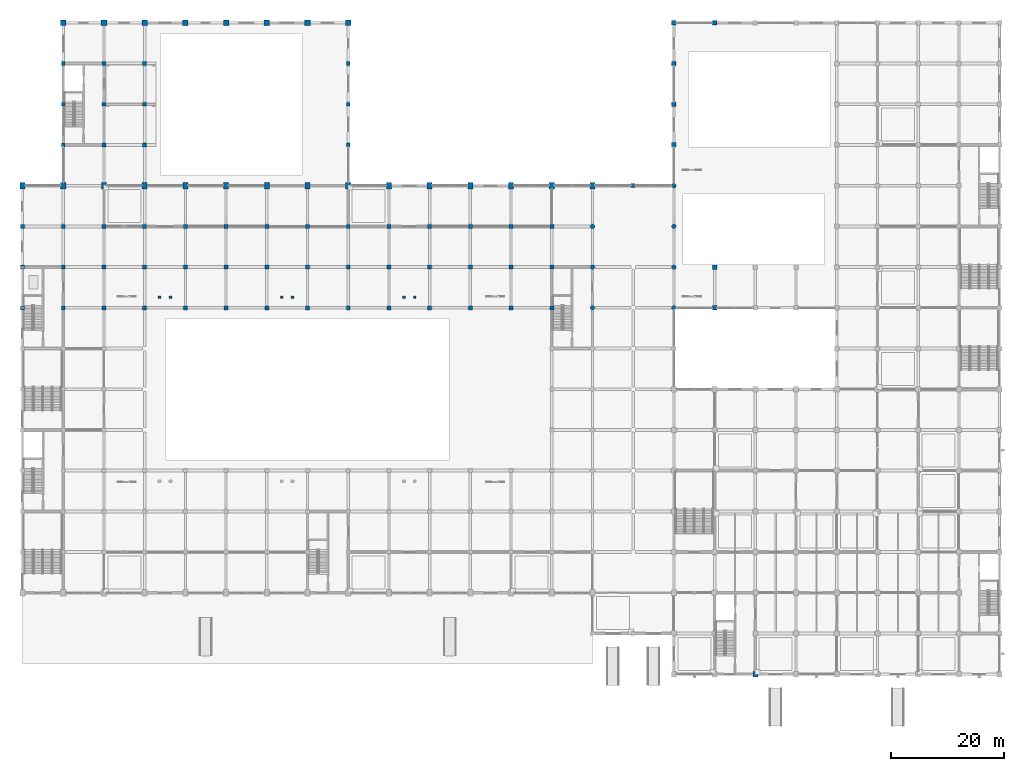
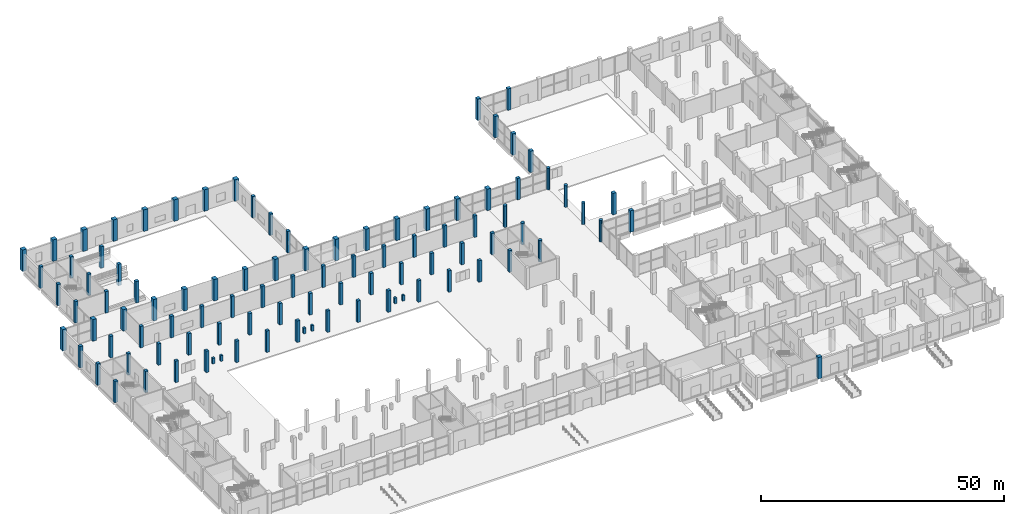
# One storey, part 2 of 70: 99 columns.
"""IFC4 building model written with IfcOpenShell, lengths in metres."""

from ifc_helpers import new_model, si_unit, direction, frame, origin, origin_2d, place, context, subcontext, project, spatial, rectangle, circle, extrude, material, material_profile, profile_set, type_object, element, save


model = new_model("IFC4")

# Units and contexts
model_context = context("Model", 3, precision=1e-05, world=origin(), true_north=direction((0.0, 1.0)))
body_context = subcontext(model_context, "Body", "Model", "MODEL_VIEW")
ifc_project = project(units=[si_unit("LENGTHUNIT", "METRE"), si_unit("AREAUNIT", "SQUARE_METRE"), si_unit("VOLUMEUNIT", "CUBIC_METRE"), si_unit("PLANEANGLEUNIT", "RADIAN"), si_unit("MASSUNIT", "GRAM", prefix="KILO")], contexts=[model_context])

# Site, building, storey
site_placement = place(None, origin())
site = spatial("IfcSite", under=ifc_project, at=site_placement, CompositionType="ELEMENT")
building_placement = place(site_placement, origin())
building = spatial("IfcBuilding", under=site, at=building_placement, Name="Vesperath Aquatics Centre", CompositionType="ELEMENT")
storey_placement = place(building_placement, origin())
storey = spatial("IfcBuildingStorey", under=building, at=storey_placement, Name="L00", CompositionType="ELEMENT", Elevation=0.0)

# Columns
ifc_material_1 = material(Name="Concrete C40", Category="concrete")
ifc_material_profile_1 = material_profile(ifc_material_1, rectangle(XDim=0.89990234375, YDim=1.10009765625, at=origin_2d()), Name="RC 1100x900")
ifc_profile_set_1 = profile_set([ifc_material_profile_1], Name="Concrete C40")
column_type_1 = type_object("IfcColumnType", Name="CL-C01", PredefinedType="COLUMN", material=ifc_profile_set_1)
for number, where, z_axis, x_axis, name in (
    (1, (0.0, 86.39990234375, 0.0), (0.0, 0.0, 1.0), (1.0, 0.0, 0.0), "Column C01 L00 1/N"),
    (2, (7.199951171875, 86.39990234375, 0.0), (0.0, 0.0, 1.0), (1.0, 0.0, 0.0), "Column C01 L00 2/N"),
    (3, (14.39990234375, 86.39990234375, 0.0), (0.0, 0.0, 1.0), (1.0, 0.0, 0.0), "Column C01 L00 3/N"),
    (4, (21.60009765625, 86.39990234375, 0.0), (0.0, 0.0, 1.0), (1.0, 0.0, 0.0), "Column C01 L00 4/N"),
    (5, (28.800048828125, 86.39990234375, 0.0), (0.0, 0.0, 1.0), (1.0, 0.0, 0.0), "Column C01 L00 5/N"),
    (6, (36.0, 86.39990234375, 0.0), (0.0, 0.0, 1.0), (1.0, 0.0, 0.0), "Column C01 L00 6/N"),
    (7, (43.199951171875, 86.39990234375, 0.0), (0.0, 0.0, 1.0), (1.0, 0.0, 0.0), "Column C01 L00 7/N"),
    (8, (50.39990234375, 86.39990234375, 0.0), (0.0, 0.0, 1.0), (1.0, 0.0, 0.0), "Column C01 L00 8/N"),
    (9, (57.60009765625, 86.39990234375, 0.0), (0.0, 0.0, 1.0), (1.0, 0.0, 0.0), "Column C01 L00 9/N"),
    (10, (64.800048828125, 86.39990234375, 0.0), (0.0, 0.0, 1.0), (1.0, 0.0, 0.0), "Column C01 L00 10/N"),
    (11, (72.0, 86.39990234375, 0.0), (0.0, 0.0, 1.0), (1.0, 0.0, 0.0), "Column C01 L00 11/N"),
    (12, (79.199951171875, 86.39990234375, 0.0), (0.0, 0.0, 1.0), (1.0, 0.0, 0.0), "Column C01 L00 12/N"),
    (13, (86.39990234375, 86.39990234375, 0.0), (0.0, 0.0, 1.0), (1.0, 0.0, 0.0), "Column C01 L00 13/N"),
    (14, (93.60009765625, 86.39990234375, 0.0), (0.0, 0.0, 1.0), (1.0, 0.0, 0.0), "Column C01 L00 14/N"),
    (15, (100.800048828125, 86.39990234375, 0.0), (0.0, 0.0, 1.0), (1.0, 0.0, 0.0), "Column C01 L00 15/N"),
):
    element("IfcColumn", number, at=place(storey_placement, frame(where, z_axis=z_axis, x_axis=x_axis)), inside=storey, type_object=column_type_1, Name=name, PredefinedType="COLUMN", context=body_context, shape_type="SweptSolid", body=[
        extrude(rectangle(XDim=0.89990234375, YDim=1.10009765625, at=origin_2d()), origin(), (0.0, 0.0, 1.0), 5.39990234375),
    ])
ifc_material_profile_2 = material_profile(ifc_material_1, rectangle(XDim=1.0, YDim=1.0, at=origin_2d()), Name="RC 1000x1000")
ifc_profile_set_2 = profile_set([ifc_material_profile_2], Name="Concrete C40")
column_type_2 = type_object("IfcColumnType", Name="CL-C02", PredefinedType="COLUMN", material=ifc_profile_set_2)
for number, where, z_axis, x_axis, name in (
    (16, (7.199951171875, 115.199951171875, 0.0), (0.0, 0.0, 1.0), (1.0, 0.0, 0.0), "Column C02 L00 2/S"),
    (17, (14.39990234375, 115.199951171875, 0.0), (0.0, 0.0, 1.0), (1.0, 0.0, 0.0), "Column C02 L00 3/S"),
    (18, (21.60009765625, 115.199951171875, 0.0), (0.0, 0.0, 1.0), (1.0, 0.0, 0.0), "Column C02 L00 4/S"),
    (19, (28.800048828125, 115.199951171875, 0.0), (0.0, 0.0, 1.0), (1.0, 0.0, 0.0), "Column C02 L00 5/S"),
    (20, (36.0, 115.199951171875, 0.0), (0.0, 0.0, 1.0), (1.0, 0.0, 0.0), "Column C02 L00 6/S"),
    (21, (43.199951171875, 115.199951171875, 0.0), (0.0, 0.0, 1.0), (1.0, 0.0, 0.0), "Column C02 L00 7/S"),
    (22, (50.39990234375, 115.199951171875, 0.0), (0.0, 0.0, 1.0), (1.0, 0.0, 0.0), "Column C02 L00 8/S"),
    (23, (57.60009765625, 115.199951171875, 0.0), (0.0, 0.0, 1.0), (1.0, 0.0, 0.0), "Column C02 L00 9/S"),
):
    element("IfcColumn", number, at=place(storey_placement, frame(where, z_axis=z_axis, x_axis=x_axis)), inside=storey, type_object=column_type_2, Name=name, PredefinedType="COLUMN", context=body_context, shape_type="SweptSolid", body=[
        extrude(rectangle(XDim=1.0, YDim=1.0, at=origin_2d()), origin(), (0.0, 0.0, 1.0), 5.39990234375),
    ])
ifc_material_profile_3 = material_profile(ifc_material_1, rectangle(XDim=0.89990234375, YDim=0.89990234375, at=origin_2d()), Name="RC 900x900")
ifc_profile_set_3 = profile_set([ifc_material_profile_3], Name="Concrete C40")
column_type_3 = type_object("IfcColumnType", Name="CL-C03", PredefinedType="COLUMN", material=ifc_profile_set_3)
column_placement = place(storey_placement, frame((129.60009765625, 0.0, 0.0), z_axis=(0.0, 0.0, 1.0), x_axis=(1.0, 0.0, 0.0)))
element("IfcColumn", 24, at=column_placement, inside=storey, type_object=column_type_3, Name="Column C03 L00 19/A", PredefinedType="COLUMN", context=body_context, shape_type="SweptSolid", body=[
    extrude(rectangle(XDim=0.89990234375, YDim=0.89990234375, at=origin_2d()), origin(), (0.0, 0.0, 1.0), 5.39990234375),
])
ifc_material_profile_4 = material_profile(ifc_material_1, rectangle(XDim=0.800048828125, YDim=0.800048828125, at=origin_2d()), Name="RC 800x800")
ifc_profile_set_4 = profile_set([ifc_material_profile_4], Name="Concrete C40")
column_type_4 = type_object("IfcColumnType", Name="CL-C04", PredefinedType="COLUMN", material=ifc_profile_set_4)
for number, where, z_axis, x_axis, name in (
    (25, (115.199951171875, 93.60009765625, 0.0), (0.0, 0.0, 1.0), (1.0, 0.0, 0.0), "Column C04 L00 17/P"),
    (26, (115.199951171875, 100.800048828125, 0.0), (0.0, 0.0, 1.0), (1.0, 0.0, 0.0), "Column C04 L00 17/Q"),
    (27, (115.199951171875, 108.0, 0.0), (0.0, 0.0, 1.0), (1.0, 0.0, 0.0), "Column C04 L00 17/R"),
    (28, (115.199951171875, 115.199951171875, 0.0), (0.0, 0.0, 1.0), (1.0, 0.0, 0.0), "Column C04 L00 17/S"),
    (29, (122.39990234375, 64.800048828125, 0.0), (0.0, 0.0, 1.0), (1.0, 0.0, 0.0), "Column C04 L00 18/K"),
    (30, (122.39990234375, 72.0, 0.0), (0.0, 0.0, 1.0), (1.0, 0.0, 0.0), "Column C04 L00 18/L"),
    (31, (122.39990234375, 115.199951171875, 0.0), (0.0, 0.0, 1.0), (1.0, 0.0, 0.0), "Column C04 L00 18/S"),
):
    element("IfcColumn", number, at=place(storey_placement, frame(where, z_axis=z_axis, x_axis=x_axis)), inside=storey, type_object=column_type_4, Name=name, PredefinedType="COLUMN", context=body_context, shape_type="SweptSolid", body=[
        extrude(rectangle(XDim=0.800048828125, YDim=0.800048828125, at=origin_2d()), origin(), (0.0, 0.0, 1.0), 5.39990234375),
    ])
ifc_material_profile_5 = material_profile(ifc_material_1, rectangle(XDim=0.699951171875, YDim=0.699951171875, at=origin_2d()), Name="RC 700x700")
ifc_profile_set_5 = profile_set([ifc_material_profile_5], Name="Concrete C40")
column_type_5 = type_object("IfcColumnType", Name="CL-C05", PredefinedType="COLUMN", material=ifc_profile_set_5)
for number, where, z_axis, x_axis, name in (
    (32, (0.0, 64.800048828125, 0.0), (0.0, 0.0, 1.0), (1.0, 0.0, 0.0), "Column C05 L00 1/K"),
    (33, (0.0, 72.0, 0.0), (0.0, 0.0, 1.0), (1.0, 0.0, 0.0), "Column C05 L00 1/L"),
    (34, (0.0, 79.199951171875, 0.0), (0.0, 0.0, 1.0), (1.0, 0.0, 0.0), "Column C05 L00 1/M"),
    (35, (7.199951171875, 64.800048828125, 0.0), (0.0, 0.0, 1.0), (1.0, 0.0, 0.0), "Column C05 L00 2/K"),
    (36, (7.199951171875, 72.0, 0.0), (0.0, 0.0, 1.0), (1.0, 0.0, 0.0), "Column C05 L00 2/L"),
    (37, (7.199951171875, 79.199951171875, 0.0), (0.0, 0.0, 1.0), (1.0, 0.0, 0.0), "Column C05 L00 2/M"),
    (38, (7.199951171875, 93.60009765625, 0.0), (0.0, 0.0, 1.0), (1.0, 0.0, 0.0), "Column C05 L00 2/P"),
    (39, (7.199951171875, 100.800048828125, 0.0), (0.0, 0.0, 1.0), (1.0, 0.0, 0.0), "Column C05 L00 2/Q"),
    (40, (7.199951171875, 108.0, 0.0), (0.0, 0.0, 1.0), (1.0, 0.0, 0.0), "Column C05 L00 2/R"),
    (41, (14.39990234375, 64.800048828125, 0.0), (0.0, 0.0, 1.0), (1.0, 0.0, 0.0), "Column C05 L00 3/K"),
    (42, (14.39990234375, 72.0, 0.0), (0.0, 0.0, 1.0), (1.0, 0.0, 0.0), "Column C05 L00 3/L"),
    (43, (14.39990234375, 79.199951171875, 0.0), (0.0, 0.0, 1.0), (1.0, 0.0, 0.0), "Column C05 L00 3/M"),
    (44, (14.39990234375, 93.60009765625, 0.0), (0.0, 0.0, 1.0), (1.0, 0.0, 0.0), "Column C05 L00 3/P"),
    (45, (14.39990234375, 100.800048828125, 0.0), (0.0, 0.0, 1.0), (1.0, 0.0, 0.0), "Column C05 L00 3/Q"),
    (46, (14.39990234375, 108.0, 0.0), (0.0, 0.0, 1.0), (1.0, 0.0, 0.0), "Column C05 L00 3/R"),
    (47, (21.60009765625, 64.800048828125, 0.0), (0.0, 0.0, 1.0), (1.0, 0.0, 0.0), "Column C05 L00 4/K"),
    (48, (21.60009765625, 72.0, 0.0), (0.0, 0.0, 1.0), (1.0, 0.0, 0.0), "Column C05 L00 4/L"),
    (49, (21.60009765625, 79.199951171875, 0.0), (0.0, 0.0, 1.0), (1.0, 0.0, 0.0), "Column C05 L00 4/M"),
    (50, (21.60009765625, 93.60009765625, 0.0), (0.0, 0.0, 1.0), (1.0, 0.0, 0.0), "Column C05 L00 4/P"),
    (51, (21.60009765625, 100.800048828125, 0.0), (0.0, 0.0, 1.0), (1.0, 0.0, 0.0), "Column C05 L00 4/Q"),
    (52, (21.60009765625, 108.0, 0.0), (0.0, 0.0, 1.0), (1.0, 0.0, 0.0), "Column C05 L00 4/R"),
    (53, (28.800048828125, 64.800048828125, 0.0), (0.0, 0.0, 1.0), (1.0, 0.0, 0.0), "Column C05 L00 5/K"),
    (54, (28.800048828125, 72.0, 0.0), (0.0, 0.0, 1.0), (1.0, 0.0, 0.0), "Column C05 L00 5/L"),
    (55, (28.800048828125, 79.199951171875, 0.0), (0.0, 0.0, 1.0), (1.0, 0.0, 0.0), "Column C05 L00 5/M"),
    (56, (36.0, 64.800048828125, 0.0), (0.0, 0.0, 1.0), (1.0, 0.0, 0.0), "Column C05 L00 6/K"),
    (57, (36.0, 72.0, 0.0), (0.0, 0.0, 1.0), (1.0, 0.0, 0.0), "Column C05 L00 6/L"),
    (58, (36.0, 79.199951171875, 0.0), (0.0, 0.0, 1.0), (1.0, 0.0, 0.0), "Column C05 L00 6/M"),
    (59, (43.199951171875, 64.800048828125, 0.0), (0.0, 0.0, 1.0), (1.0, 0.0, 0.0), "Column C05 L00 7/K"),
    (60, (43.199951171875, 72.0, 0.0), (0.0, 0.0, 1.0), (1.0, 0.0, 0.0), "Column C05 L00 7/L"),
    (61, (43.199951171875, 79.199951171875, 0.0), (0.0, 0.0, 1.0), (1.0, 0.0, 0.0), "Column C05 L00 7/M"),
    (62, (50.39990234375, 64.800048828125, 0.0), (0.0, 0.0, 1.0), (1.0, 0.0, 0.0), "Column C05 L00 8/K"),
    (63, (50.39990234375, 72.0, 0.0), (0.0, 0.0, 1.0), (1.0, 0.0, 0.0), "Column C05 L00 8/L"),
    (64, (50.39990234375, 79.199951171875, 0.0), (0.0, 0.0, 1.0), (1.0, 0.0, 0.0), "Column C05 L00 8/M"),
    (65, (57.60009765625, 64.800048828125, 0.0), (0.0, 0.0, 1.0), (1.0, 0.0, 0.0), "Column C05 L00 9/K"),
    (66, (57.60009765625, 72.0, 0.0), (0.0, 0.0, 1.0), (1.0, 0.0, 0.0), "Column C05 L00 9/L"),
    (67, (57.60009765625, 79.199951171875, 0.0), (0.0, 0.0, 1.0), (1.0, 0.0, 0.0), "Column C05 L00 9/M"),
    (68, (57.60009765625, 93.60009765625, 0.0), (0.0, 0.0, 1.0), (1.0, 0.0, 0.0), "Column C05 L00 9/P"),
    (69, (57.60009765625, 100.800048828125, 0.0), (0.0, 0.0, 1.0), (1.0, 0.0, 0.0), "Column C05 L00 9/Q"),
    (70, (57.60009765625, 108.0, 0.0), (0.0, 0.0, 1.0), (1.0, 0.0, 0.0), "Column C05 L00 9/R"),
    (71, (64.800048828125, 64.800048828125, 0.0), (0.0, 0.0, 1.0), (1.0, 0.0, 0.0), "Column C05 L00 10/K"),
    (72, (64.800048828125, 72.0, 0.0), (0.0, 0.0, 1.0), (1.0, 0.0, 0.0), "Column C05 L00 10/L"),
    (73, (64.800048828125, 79.199951171875, 0.0), (0.0, 0.0, 1.0), (1.0, 0.0, 0.0), "Column C05 L00 10/M"),
    (74, (72.0, 64.800048828125, 0.0), (0.0, 0.0, 1.0), (1.0, 0.0, 0.0), "Column C05 L00 11/K"),
    (75, (72.0, 72.0, 0.0), (0.0, 0.0, 1.0), (1.0, 0.0, 0.0), "Column C05 L00 11/L"),
    (76, (72.0, 79.199951171875, 0.0), (0.0, 0.0, 1.0), (1.0, 0.0, 0.0), "Column C05 L00 11/M"),
    (77, (79.199951171875, 64.800048828125, 0.0), (0.0, 0.0, 1.0), (1.0, 0.0, 0.0), "Column C05 L00 12/K"),
    (78, (79.199951171875, 72.0, 0.0), (0.0, 0.0, 1.0), (1.0, 0.0, 0.0), "Column C05 L00 12/L"),
    (79, (79.199951171875, 79.199951171875, 0.0), (0.0, 0.0, 1.0), (1.0, 0.0, 0.0), "Column C05 L00 12/M"),
    (80, (86.39990234375, 64.800048828125, 0.0), (0.0, 0.0, 1.0), (1.0, 0.0, 0.0), "Column C05 L00 13/K"),
    (81, (86.39990234375, 72.0, 0.0), (0.0, 0.0, 1.0), (1.0, 0.0, 0.0), "Column C05 L00 13/L"),
    (82, (86.39990234375, 79.199951171875, 0.0), (0.0, 0.0, 1.0), (1.0, 0.0, 0.0), "Column C05 L00 13/M"),
    (83, (93.60009765625, 64.800048828125, 0.0), (0.0, 0.0, 1.0), (1.0, 0.0, 0.0), "Column C05 L00 14/K"),
    (84, (93.60009765625, 72.0, 0.0), (0.0, 0.0, 1.0), (1.0, 0.0, 0.0), "Column C05 L00 14/L"),
    (85, (93.60009765625, 79.199951171875, 0.0), (0.0, 0.0, 1.0), (1.0, 0.0, 0.0), "Column C05 L00 14/M"),
    (86, (108.0, 86.39990234375, 0.0), (0.0, 0.0, 1.0), (1.0, 0.0, 0.0), "Column C05 L00 16/N"),
):
    element("IfcColumn", number, at=place(storey_placement, frame(where, z_axis=z_axis, x_axis=x_axis)), inside=storey, type_object=column_type_5, Name=name, PredefinedType="COLUMN", context=body_context, shape_type="SweptSolid", body=[
        extrude(rectangle(XDim=0.699951171875, YDim=0.699951171875, at=origin_2d()), origin(), (0.0, 0.0, 1.0), 5.39990234375),
    ])
ifc_material_2 = material(Name="Concrete C35", Category="concrete")
ifc_material_profile_6 = material_profile(ifc_material_2, rectangle(XDim=0.5, YDim=0.5, at=origin_2d()), Name="RC 500x500")
ifc_profile_set_6 = profile_set([ifc_material_profile_6], Name="Concrete C35")
column_type_6 = type_object("IfcColumnType", Name="CL-C07", PredefinedType="COLUMN", material=ifc_profile_set_6)
for number, where, z_axis, x_axis, name in (
    (87, (24.25, 66.679931640625, 0.0), (0.0, 0.0, 1.0), (1.0, 0.0, 0.0), "Vomitory VOM-04 Portal Column C07 L00-W"),
    (88, (26.14990234375, 66.679931640625, 0.0), (0.0, 0.0, 1.0), (1.0, 0.0, 0.0), "Vomitory VOM-04 Portal Column C07 L00-E"),
    (89, (45.85009765625, 66.679931640625, 0.0), (0.0, 0.0, 1.0), (1.0, 0.0, 0.0), "Vomitory VOM-05 Portal Column C07 L00-W"),
    (90, (47.75, 66.679931640625, 0.0), (0.0, 0.0, 1.0), (1.0, 0.0, 0.0), "Vomitory VOM-05 Portal Column C07 L00-E"),
    (91, (67.449951171875, 66.679931640625, 0.0), (0.0, 0.0, 1.0), (1.0, 0.0, 0.0), "Vomitory VOM-06 Portal Column C07 L00-W"),
    (92, (69.35009765625, 66.679931640625, 0.0), (0.0, 0.0, 1.0), (1.0, 0.0, 0.0), "Vomitory VOM-06 Portal Column C07 L00-E"),
):
    element("IfcColumn", number, at=place(storey_placement, frame(where, z_axis=z_axis, x_axis=x_axis)), inside=storey, type_object=column_type_6, Name=name, PredefinedType="COLUMN", context=body_context, shape_type="SweptSolid", body=[
        extrude(rectangle(XDim=0.5, YDim=0.5, at=origin_2d()), origin(), (0.0, 0.0, 1.0), 1.449951171875),
    ])
ifc_material_profile_7 = material_profile(ifc_material_1, circle(Radius=0.39990234375, at=origin_2d()), Name="RC D800")
ifc_profile_set_7 = profile_set([ifc_material_profile_7], Name="Concrete C40")
column_type_7 = type_object("IfcColumnType", Name="CL-C08", PredefinedType="COLUMN", material=ifc_profile_set_7)
for number, where, z_axis, x_axis, name in (
    (93, (100.800048828125, 64.800048828125, 0.0), (0.0, 0.0, 1.0), (1.0, 0.0, 0.0), "Column C08 L00 15/K"),
    (94, (100.800048828125, 72.0, 0.0), (0.0, 0.0, 1.0), (1.0, 0.0, 0.0), "Column C08 L00 15/L"),
    (95, (100.800048828125, 79.199951171875, 0.0), (0.0, 0.0, 1.0), (1.0, 0.0, 0.0), "Column C08 L00 15/M"),
    (96, (115.199951171875, 64.800048828125, 0.0), (0.0, 0.0, 1.0), (1.0, 0.0, 0.0), "Column C08 L00 17/K"),
    (97, (115.199951171875, 72.0, 0.0), (0.0, 0.0, 1.0), (1.0, 0.0, 0.0), "Column C08 L00 17/L"),
    (98, (115.199951171875, 79.199951171875, 0.0), (0.0, 0.0, 1.0), (1.0, 0.0, 0.0), "Column C08 L00 17/M"),
    (99, (115.199951171875, 86.39990234375, 0.0), (0.0, 0.0, 1.0), (1.0, 0.0, 0.0), "Column C08 L00 17/N"),
):
    element("IfcColumn", number, at=place(storey_placement, frame(where, z_axis=z_axis, x_axis=x_axis)), inside=storey, type_object=column_type_7, Name=name, PredefinedType="COLUMN", context=body_context, shape_type="SweptSolid", body=[
        extrude(circle(Radius=0.39990234375, at=origin_2d()), origin(), (0.0, 0.0, 1.0), 5.39990234375),
    ])

save(model, "model.ifc")
